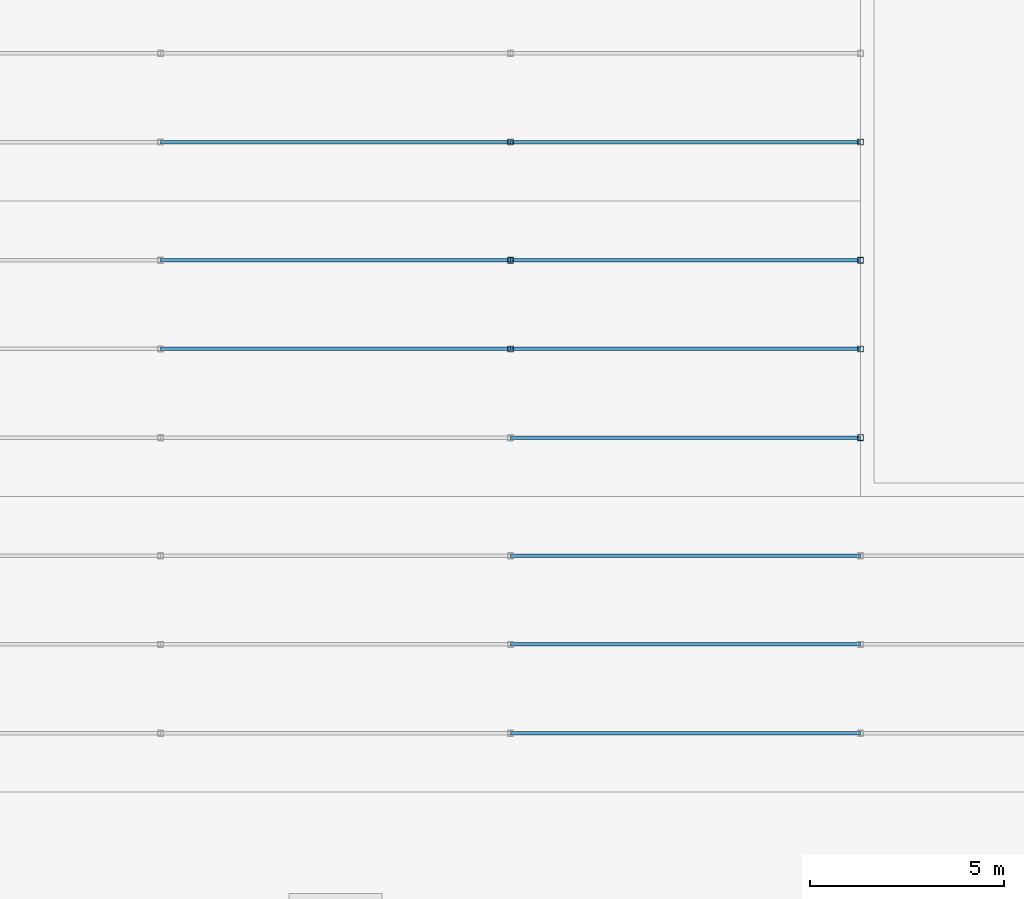
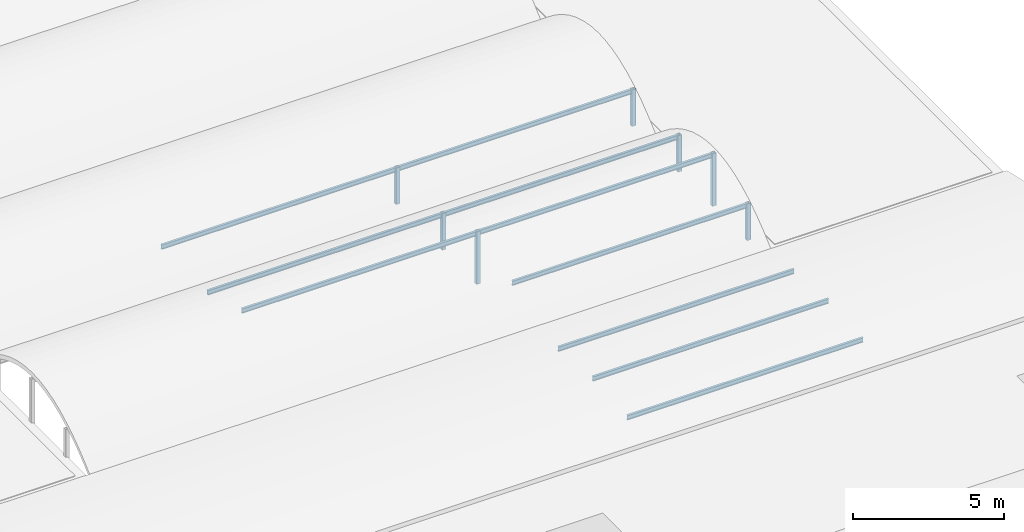
# One storey, part 16 of 46: 17 members.
"""IFC4 building model written with IfcOpenShell, lengths in metres."""

from ifc_helpers import new_model, si_unit, direction, frame, origin, origin_2d, place, context, subcontext, project, spatial, hollow_rectangle, i_section, extrude, material, material_profile, profile_set, type_object, element, save


model = new_model("IFC4")

# Units and contexts
model_context = context("Model", 3, precision=1e-05, world=origin(), true_north=direction((0.0, 1.0)))
body_context = subcontext(model_context, "Body", "Model", "MODEL_VIEW")
ifc_project = project(units=[si_unit("LENGTHUNIT", "METRE"), si_unit("AREAUNIT", "SQUARE_METRE"), si_unit("VOLUMEUNIT", "CUBIC_METRE"), si_unit("PLANEANGLEUNIT", "RADIAN"), si_unit("MASSUNIT", "GRAM", prefix="KILO")], contexts=[model_context])

# Site, building, storey
site_placement = place(None, origin())
site = spatial("IfcSite", under=ifc_project, at=site_placement, CompositionType="ELEMENT")
building_placement = place(site_placement, origin())
building = spatial("IfcBuilding", under=site, at=building_placement, Name="Shalkamar Park Central Library", CompositionType="ELEMENT")
storey_placement = place(building_placement, frame((0.0, 0.0, 20.39990234375)))
storey = spatial("IfcBuildingStorey", under=building, at=storey_placement, Name="L05", CompositionType="ELEMENT", Elevation=20.39990234375)

# Members
ifc_material = material(Name="Steel S355", Category="steel")
ifc_material_profile_1 = material_profile(ifc_material, hollow_rectangle(XDim=0.14990234375, YDim=0.14990234375, WallThickness=0.008056640625, InnerFilletRadius=0.008056640625, OuterFilletRadius=0.011962890625, at=origin_2d()), Name="SHS 150x150x8")
ifc_profile_set_1 = profile_set([ifc_material_profile_1], Name="Steel S355")
member_type_1 = type_object("IfcMemberType", Name="Diagonal Brace SHS150", PredefinedType="BRACE", material=ifc_profile_set_1)
member_1_placement = place(storey_placement, frame((246.0, 274.199951171875, -0.35986328125), z_axis=(0.0, 0.0, 1.0), x_axis=(1.0, 0.0, 0.0)))
element("IfcMember", 1, at=member_1_placement, inside=storey, type_object=member_type_1, Name="Vault Arch Post BV-L04-1-17.2", PredefinedType="BRACE", context=body_context, shape_type="SweptSolid", body=[
    extrude(hollow_rectangle(XDim=0.14990234375, YDim=0.14990234375, WallThickness=0.008056640625, InnerFilletRadius=0.008056640625, OuterFilletRadius=0.011962890625, at=origin_2d()), origin(), (0.0, 0.0, 1.0), 2.119873046875),
])
for number, where, z_axis, x_axis, name in (
    (2, (246.0, 276.47998046875, -0.35986328125), (0.0, 0.0, 1.0), (1.0, 0.0, 0.0), "Vault Arch Post BV-L04-1-17.3"),
    (3, (255.0, 271.919921875, -0.35986328125), (0.0, 0.0, 1.0), (1.0, 0.0, 0.0), "Vault Arch Post BV-L04-1-18.1"),
):
    element("IfcMember", number, at=place(storey_placement, frame(where, z_axis=z_axis, x_axis=x_axis)), inside=storey, type_object=member_type_1, Name=name, PredefinedType="BRACE", context=body_context, shape_type="SweptSolid", body=[
        extrude(hollow_rectangle(XDim=0.14990234375, YDim=0.14990234375, WallThickness=0.008056640625, InnerFilletRadius=0.008056640625, OuterFilletRadius=0.011962890625, at=origin_2d()), origin(), (0.0, 0.0, 1.0), 1.471923828125),
    ])
member_2_placement = place(storey_placement, frame((255.0, 274.199951171875, -0.35986328125), z_axis=(0.0, 0.0, 1.0), x_axis=(1.0, 0.0, 0.0)))
element("IfcMember", 4, at=member_2_placement, inside=storey, type_object=member_type_1, Name="Vault Arch Post BV-L04-1-18.2", PredefinedType="BRACE", context=body_context, shape_type="SweptSolid", body=[
    extrude(hollow_rectangle(XDim=0.14990234375, YDim=0.14990234375, WallThickness=0.008056640625, InnerFilletRadius=0.008056640625, OuterFilletRadius=0.011962890625, at=origin_2d()), origin(), (0.0, 0.0, 1.0), 2.119873046875),
])
for number, where, z_axis, x_axis, name in (
    (5, (255.0, 276.47998046875, -0.35986328125), (0.0, 0.0, 1.0), (1.0, 0.0, 0.0), "Vault Arch Post BV-L04-1-18.3"),
    (6, (246.0, 279.52001953125, -0.35986328125), (0.0, 0.0, 1.0), (1.0, 0.0, 0.0), "Vault Arch Post BV-L04-2-17.1"),
    (7, (255.0, 279.52001953125, -0.35986328125), (0.0, 0.0, 1.0), (1.0, 0.0, 0.0), "Vault Arch Post BV-L04-2-18.1"),
):
    element("IfcMember", number, at=place(storey_placement, frame(where, z_axis=z_axis, x_axis=x_axis)), inside=storey, type_object=member_type_1, Name=name, PredefinedType="BRACE", context=body_context, shape_type="SweptSolid", body=[
        extrude(hollow_rectangle(XDim=0.14990234375, YDim=0.14990234375, WallThickness=0.008056640625, InnerFilletRadius=0.008056640625, OuterFilletRadius=0.011962890625, at=origin_2d()), origin(), (0.0, 0.0, 1.0), 1.471923828125),
    ])
ifc_material_profile_2 = material_profile(ifc_material, i_section(OverallWidth=0.091064453125, OverallDepth=0.179931640625, WebThickness=0.00537109375, FlangeThickness=0.008056640625, FilletRadius=0.009033203125, at=origin_2d()), Name="IPE 180")
ifc_profile_set_2 = profile_set([ifc_material_profile_2], Name="Steel S355")
member_type_2 = type_object("IfcMemberType", Name="Roof Purlin IPE180", PredefinedType="PURLIN", material=ifc_profile_set_2)
for number, where, z_axis, x_axis, name in (
    (8, (246.0, 271.919921875, 1.022216796875), (1.0, 0.0, 0.0), (0.0, 1.0, 0.0), "Barrel Roof Purlin BV-L04-1-1.17"),
    (9, (237.0, 274.199951171875, 1.670166015625), (1.0, 0.0, 0.0), (0.0, 1.0, 0.0), "Barrel Roof Purlin BV-L04-1-2.16"),
    (10, (246.0, 274.199951171875, 1.670166015625), (1.0, 0.0, 0.0), (0.0, 1.0, 0.0), "Barrel Roof Purlin BV-L04-1-2.17"),
    (11, (237.0, 276.47998046875, 1.022216796875), (1.0, 0.0, 0.0), (0.0, 1.0, 0.0), "Barrel Roof Purlin BV-L04-1-3.16"),
    (12, (246.0, 276.47998046875, 1.022216796875), (1.0, 0.0, 0.0), (0.0, 1.0, 0.0), "Barrel Roof Purlin BV-L04-1-3.17"),
    (13, (237.0, 279.52001953125, 1.022216796875), (1.0, 0.0, 0.0), (0.0, 1.0, 0.0), "Barrel Roof Purlin BV-L04-2-1.16"),
    (14, (246.0, 279.52001953125, 1.022216796875), (1.0, 0.0, 0.0), (0.0, 1.0, 0.0), "Barrel Roof Purlin BV-L04-2-1.17"),
    (15, (246.0, 264.320068359375, 0.202880859375), (1.0, 0.0, 0.0), (0.0, 1.0, 0.0), "Barrel Roof Purlin BV-L04-S2-1.17"),
    (16, (246.0, 266.60009765625, 0.39013671875), (1.0, 0.0, 0.0), (0.0, 1.0, 0.0), "Barrel Roof Purlin BV-L04-S2-2.17"),
    (17, (246.0, 268.8798828125, 0.202880859375), (1.0, 0.0, 0.0), (0.0, 1.0, 0.0), "Barrel Roof Purlin BV-L04-S2-3.17"),
):
    element("IfcMember", number, at=place(storey_placement, frame(where, z_axis=z_axis, x_axis=x_axis)), inside=storey, type_object=member_type_2, Name=name, PredefinedType="PURLIN", context=body_context, shape_type="SweptSolid", body=[
        extrude(i_section(OverallWidth=0.091064453125, OverallDepth=0.179931640625, WebThickness=0.00537109375, FlangeThickness=0.008056640625, FilletRadius=0.009033203125, at=origin_2d()), origin(), (0.0, 0.0, 1.0), 9.0),
    ])

save(model, "model.ifc")
